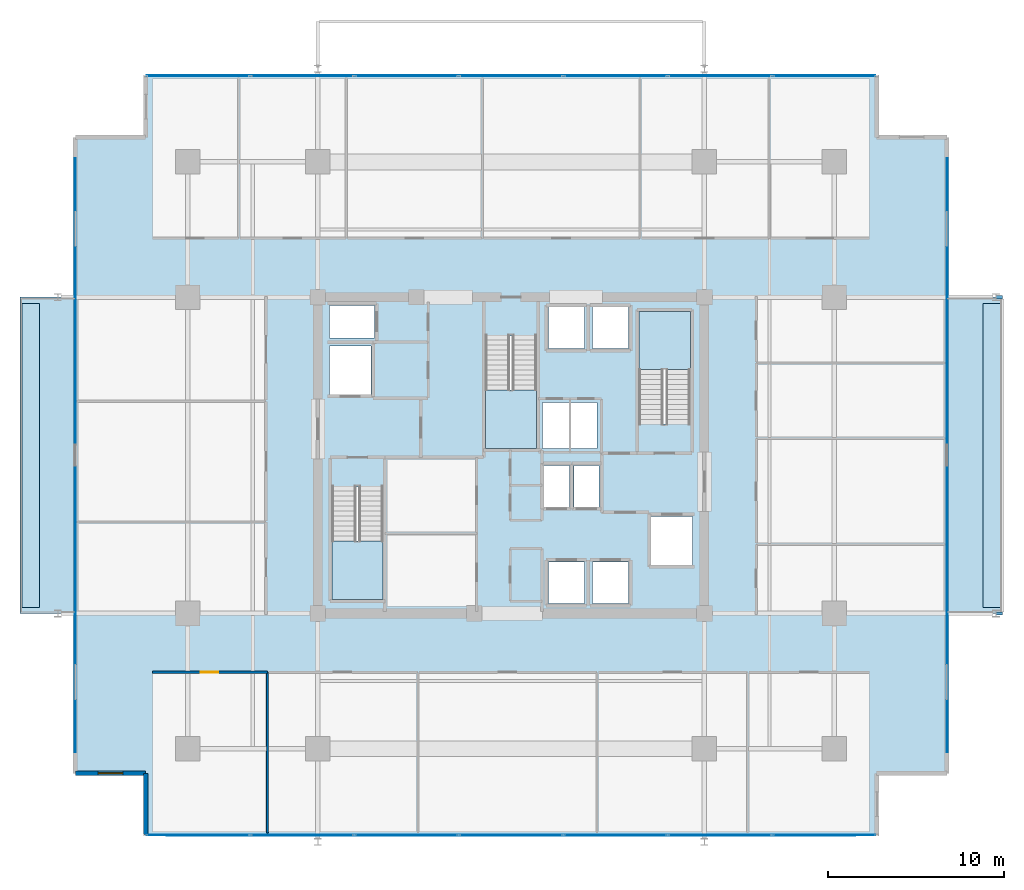
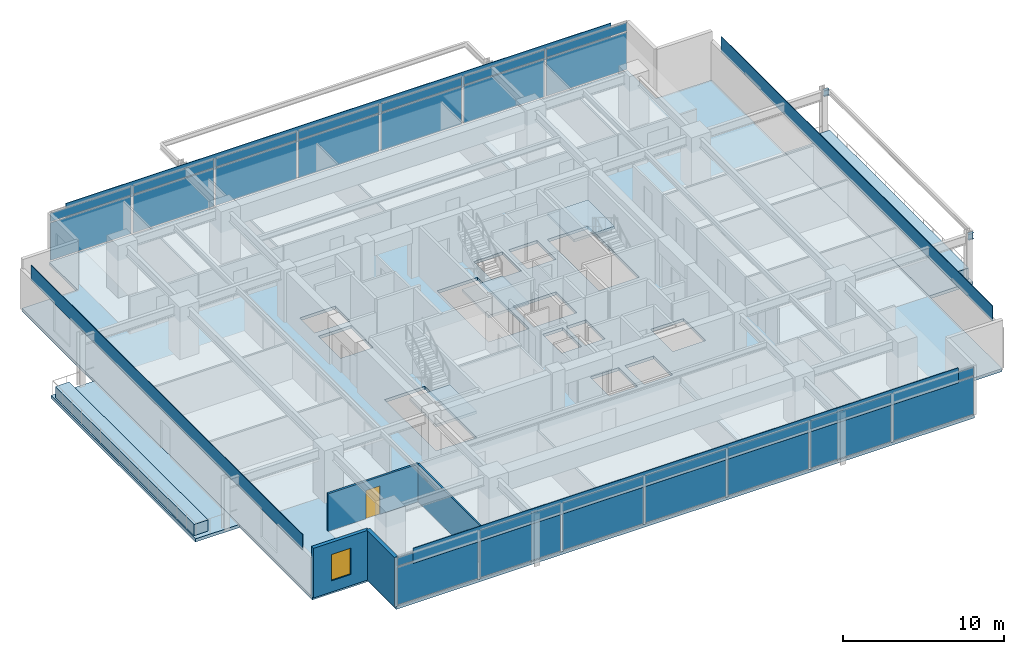
# One storey, part 13 of 21: 32 plates, 8 slabs, 4 walls, 2 beams, 1 door, 1 window, 2 openings, 5 elements without a shape of their own.
"""IFC4 building model written with IfcOpenShell, lengths in metres."""

import ifcopenshell
import ifcopenshell.guid

model = None  # the IFC model being written
_history = None  # IfcOwnerHistory: only IFC2X3 demands one
_inside = {}  # id of a spatial element -> (the spatial element, [elements in it])
_under = {}  # id of a project, library or spatial element -> (it, [spatial elements below it])
_declared = {}  # id of a project -> (the project, [libraries it declares])
_typed = {}  # id of a type object -> (the type object, [elements of that type])
_made_of = {}  # id of a material, layer set ... -> (it, [elements and type objects made of it])


def new_model(schema):
    """Start an empty IFC model of exactly this schema.

    Asked for "IFC4X3", IfcOpenShell would pick the latest addendum, in which some entities
    have other attributes; the version numbers below select the first issue.
    IFC2X3 requires an IfcOwnerHistory on every rooted entity: one is made here for all.
    """
    global model, _history
    if schema == "IFC4X3":
        model = ifcopenshell.file(schema_version=(4, 3, 0, 0))
    else:
        model = ifcopenshell.file(schema=schema)
    _inside.clear()
    _under.clear()
    _declared.clear()
    _typed.clear()
    _made_of.clear()
    _history = None
    if model.schema == "IFC2X3":
        org = make("IfcOrganization", Name="unknown")
        user = make(
            "IfcPersonAndOrganization",
            ThePerson=make("IfcPerson", FamilyName="unknown"),
            TheOrganization=org,
        )
        app = make(
            "IfcApplication",
            ApplicationDeveloper=org,
            Version="unknown",
            ApplicationFullName="unknown",
            ApplicationIdentifier="unknown",
        )
        _history = make(
            "IfcOwnerHistory",
            OwningUser=user,
            OwningApplication=app,
            ChangeAction="ADDED",
            CreationDate=0,
        )
    return model


def make(cls, **values):
    """One entity of the class cls with the attributes given. An attribute that is None is left unset."""
    return model.create_entity(
        cls, **{name: value for name, value in values.items() if value is not None}
    )


def rooted(cls, **values):
    """An entity with a GlobalId (a new one), such as an element, a storey or a relation."""
    return make(cls, GlobalId=ifcopenshell.guid.new(), OwnerHistory=_history, **values)


def si_unit(unit_type, name, prefix=None):
    """IfcSIUnit, for example si_unit("LENGTHUNIT", "METRE", prefix="MILLI")."""
    return make("IfcSIUnit", UnitType=unit_type, Prefix=prefix, Name=name)


def assignment(units):
    """IfcUnitAssignment: the units of a project."""
    return None if units is None else make("IfcUnitAssignment", Units=units)


def point(xyz):
    """IfcCartesianPoint."""
    return None if xyz is None else make("IfcCartesianPoint", Coordinates=xyz)


def direction(xyz):
    """IfcDirection."""
    return None if xyz is None else make("IfcDirection", DirectionRatios=xyz)


def frame(location, z_axis=None, x_axis=None):
    """IfcAxis2Placement3D, a coordinate frame: its origin and axes. An axis left out is left unset."""
    return make(
        "IfcAxis2Placement3D",
        Location=point(location),
        Axis=direction(z_axis),
        RefDirection=direction(x_axis),
    )


def frame_2d(location, x_axis=None):
    """IfcAxis2Placement2D, a coordinate frame in the plane: its origin and x axis."""
    return make(
        "IfcAxis2Placement2D", Location=point(location), RefDirection=direction(x_axis)
    )


def origin():
    """The frame at (0, 0, 0) with its axes left unset."""
    return frame((0.0, 0.0, 0.0))


def origin_2d():
    """The frame at (0, 0) in the plane with its x axis left unset."""
    return frame_2d((0.0, 0.0))


def place(relative_to, where):
    """IfcLocalPlacement: puts the frame where relative to a parent placement (None: the world)."""
    return make(
        "IfcLocalPlacement", PlacementRelTo=relative_to, RelativePlacement=where
    )


def context(
    kind, dimensions, precision=None, world=None, true_north=None, identifier=None
):
    """IfcGeometricRepresentationContext, for example the 3D "Model" context."""
    return make(
        "IfcGeometricRepresentationContext",
        ContextIdentifier=identifier,
        ContextType=kind,
        CoordinateSpaceDimension=dimensions,
        Precision=precision,
        WorldCoordinateSystem=world,
        TrueNorth=true_north,
    )


def subcontext(parent, identifier, kind, view, scale=None):
    """IfcGeometricRepresentationSubContext, for example "Body" below "Model"."""
    return make(
        "IfcGeometricRepresentationSubContext",
        ContextIdentifier=identifier,
        ContextType=kind,
        ParentContext=parent,
        TargetScale=scale,
        TargetView=view,
    )


def project(units=None, contexts=None):
    """IfcProject with its units and contexts."""
    return rooted(
        "IfcProject",
        Name="project",
        RepresentationContexts=contexts,
        UnitsInContext=assignment(units),
    )


def spatial(cls, under=None, at=None, **own):
    """A site, building, storey or space (cls), placed at a placement, below another one or the project."""
    s = rooted(cls, ObjectPlacement=at, **own)
    if under is not None:
        _under.setdefault(under.id(), (under, []))[1].append(s)
    return s


def polyline(points):
    """IfcPolyline through the points."""
    return make("IfcPolyline", Points=[point(p) for p in points])


def profile(cls, at=None, kind="AREA", **sizes):
    """A parametric profile (cls). Its sizes go by their IFC names, for example OverallWidth=200.0."""
    return make(cls, ProfileType=kind, Position=at, **sizes)


def rectangle(**sizes):
    """IfcRectangleProfileDef."""
    return profile("IfcRectangleProfileDef", **sizes)


def i_section(**sizes):
    """IfcIShapeProfileDef."""
    return profile("IfcIShapeProfileDef", **sizes)


def outline(outer, holes=None, kind="AREA"):
    """IfcArbitraryClosedProfileDef: a profile drawn as a closed curve; with holes, ...WithVoids."""
    if holes is None:
        return make("IfcArbitraryClosedProfileDef", ProfileType=kind, OuterCurve=outer)
    return make(
        "IfcArbitraryProfileDefWithVoids",
        ProfileType=kind,
        OuterCurve=outer,
        InnerCurves=holes,
    )


def extrude(swept, where, along, depth):
    """IfcExtrudedAreaSolid: the profile swept, set in the frame where, extruded along a direction by depth."""
    return make(
        "IfcExtrudedAreaSolid",
        SweptArea=swept,
        Position=where,
        ExtrudedDirection=direction(along),
        Depth=depth,
    )


def shape(context_of_items, identifier, shape_type, items):
    """IfcShapeRepresentation: the items that make up one representation, for example the "Body"."""
    return make(
        "IfcShapeRepresentation",
        ContextOfItems=context_of_items,
        RepresentationIdentifier=identifier,
        RepresentationType=shape_type,
        Items=items,
    )


def material(Name=None, Category=None):
    """IfcMaterial."""
    return make("IfcMaterial", Name=Name, Category=Category)


def layer(
    of_material, thickness, ventilated=None, Name=None, Category=None, Priority=None
):
    """IfcMaterialLayer: one layer of a wall or slab, of a material (None: an air gap)."""
    return make(
        "IfcMaterialLayer",
        Material=of_material,
        LayerThickness=thickness,
        IsVentilated=ventilated,
        Name=Name,
        Category=Category,
        Priority=Priority,
    )


def layer_set(layers, Name=None):
    """IfcMaterialLayerSet."""
    return make("IfcMaterialLayerSet", MaterialLayers=layers, LayerSetName=Name)


def material_profile(
    of_material, cross_section, Name=None, Category=None, Priority=None
):
    """IfcMaterialProfile: a cross section and its material."""
    return make(
        "IfcMaterialProfile",
        Name=Name,
        Material=of_material,
        Profile=cross_section,
        Priority=Priority,
        Category=Category,
    )


def profile_set(profiles, Name=None, composite=None):
    """IfcMaterialProfileSet."""
    return make(
        "IfcMaterialProfileSet",
        Name=Name,
        MaterialProfiles=profiles,
        CompositeProfile=composite,
    )


def made_of(thing, what):
    """Note that an element or type object is made of a material, layer set ...; save() writes the relation."""
    if what is not None:
        _made_of.setdefault(what.id(), (what, []))[1].append(thing)
    return thing


def type_object(cls, material=None, **own):
    """A type object (cls), such as IfcWallType, which elements share."""
    return made_of(rooted(cls, **own), material)


def element(
    cls,
    number,
    at=None,
    inside=None,
    cuts=None,
    type_object=None,
    material=None,
    context=None,
    identifier="Body",
    shape_type=None,
    held_by="IfcProductDefinitionShape",
    body=None,
    shapes=None,
    **own,
):
    """One element of the class cls, such as IfcWall. Its Tag is "e" and its number.

    at: its placement. inside: the storey or other place that contains it. cuts: it is an
    opening in that element (IfcRelVoidsElement). A single representation is given by context,
    identifier, shape_type and body (its items); several are given by shapes. held_by: the class
    of the entity that holds the representations. save() writes the other relations.
    """
    e = rooted(cls, Tag="e%d" % number, ObjectPlacement=at, **own)
    if body is not None:
        shapes = [shape(context, identifier, shape_type, body)]
    if shapes is not None:
        e.Representation = make(held_by, Representations=shapes)
    if inside is not None:
        _inside.setdefault(inside.id(), (inside, []))[1].append(e)
    if cuts is not None:
        rooted(
            "IfcRelVoidsElement", RelatingBuildingElement=cuts, RelatedOpeningElement=e
        )
    if type_object is not None:
        _typed.setdefault(type_object.id(), (type_object, []))[1].append(e)
    return made_of(e, material)


def fill(opening, filler):
    """IfcRelFillsElement: the door or window that sits in an opening."""
    return rooted(
        "IfcRelFillsElement",
        RelatingOpeningElement=opening,
        RelatedBuildingElement=filler,
    )


def aggregate(whole, parts):
    """IfcRelAggregates: a whole, such as a stair, and the parts it consists of."""
    return rooted("IfcRelAggregates", RelatingObject=whole, RelatedObjects=parts)


def save(model, path):
    """Write the relations noted so far, then the file.

    IfcRelAggregates (storeys below a building ...), IfcRelContainedInSpatialStructure (elements
    in a storey), IfcRelDefinesByType, IfcRelAssociatesMaterial and IfcRelDeclares: one each for
    every whole, place, type object, material and project.
    """
    for whole, parts in _under.values():
        aggregate(whole, parts)
    for where, things in _inside.values():
        rooted(
            "IfcRelContainedInSpatialStructure",
            RelatedElements=things,
            RelatingStructure=where,
        )
    for kind, things in _typed.values():
        rooted("IfcRelDefinesByType", RelatedObjects=things, RelatingType=kind)
    for what, things in _made_of.values():
        rooted("IfcRelAssociatesMaterial", RelatedObjects=things, RelatingMaterial=what)
    for by, libraries in _declared.values():
        rooted("IfcRelDeclares", RelatingContext=by, RelatedDefinitions=libraries)
    model.write(path)


model = new_model("IFC4")

# Units and contexts
model_context = context("Model", 3, precision=1e-05, world=origin(), true_north=direction((0.0, 1.0)))
body_context = subcontext(model_context, "Body", "Model", "MODEL_VIEW")
ifc_project = project(units=[si_unit("LENGTHUNIT", "METRE"), si_unit("AREAUNIT", "SQUARE_METRE"), si_unit("VOLUMEUNIT", "CUBIC_METRE"), si_unit("PLANEANGLEUNIT", "RADIAN"), si_unit("MASSUNIT", "GRAM", prefix="KILO")], contexts=[model_context])

# Site, building, storey
site_placement = place(None, origin())
site = spatial("IfcSite", under=ifc_project, at=site_placement, CompositionType="ELEMENT")
building_placement = place(site_placement, origin())
building = spatial("IfcBuilding", under=site, at=building_placement, Name="Kovane Verandah Tower", CompositionType="ELEMENT")
storey_placement = place(building_placement, frame((0.0, 0.0, 205.199951171875)))
storey = spatial("IfcBuildingStorey", under=building, at=storey_placement, Name="L47", CompositionType="ELEMENT", Elevation=205.199951171875)

# Beams
ifc_material_1 = material(Name="Steel S355", Category="steel")
ifc_material_profile = material_profile(ifc_material_1, i_section(OverallWidth=0.19287109375, OverallDepth=0.46728515625, WebThickness=0.011474609375, FlangeThickness=0.01953125, FilletRadius=0.01025390625, at=origin_2d()), Name="UB457x191x98")
ifc_profile_set = profile_set([ifc_material_profile], Name="Steel S355")
beam_type = type_object("IfcBeamType", Name="JST-UB457x98", PredefinedType="JOIST", material=ifc_profile_set)
for number, where, z_axis, x_axis, name in (
    (1, (67.60009765625, 18.5, 3.5263671875), (1.0, 0.0, 0.0), (0.0, 1.0, 0.0), "L47 East Planter Girder 1"),
    (2, (67.60009765625, 36.5, 3.5263671875), (1.0, 0.0, 0.0), (0.0, 1.0, 0.0), "L47 East Planter Girder 2"),
):
    element("IfcBeam", number, at=place(storey_placement, frame(where, z_axis=z_axis, x_axis=x_axis)), inside=storey, type_object=beam_type, Name=name, PredefinedType="JOIST", context=body_context, shape_type="SweptSolid", body=[
        extrude(i_section(OverallWidth=0.19287109375, OverallDepth=0.46728515625, WebThickness=0.011474609375, FlangeThickness=0.01953125, FilletRadius=0.01025390625, at=origin_2d()), origin(), (0.0, 0.0, 1.0), 0.367919921875),
    ])

# Curtain wall, plates
ifc_material_2 = material(Name="Champagne Anodised Aluminium Frame with Low-E Clear Laminated Glass", Category="aluminium")
curtain_wall_type = type_object("IfcCurtainWallType", Name="CW-SYS-03-MID", PredefinedType="NOTDEFINED", material=ifc_material_2)
curtain_wall_1_placement = place(storey_placement, origin())
curtain_wall_1 = element("IfcCurtainWall", 3, at=curtain_wall_1_placement, inside=storey, type_object=curtain_wall_type, Name="L47 S Unitised Curtain Wall", PredefinedType="NOTDEFINED")
ifc_material_3 = material(Name="Pale Champagne Anodised Aluminium Insulated Spandrel", Category="aluminium")
ifc_layer_1 = layer(ifc_material_3, 0.0400390625)
ifc_layer_set_1 = layer_set([ifc_layer_1], Name="Pale Champagne Anodised Aluminium Insulated Spandrel")
plate_type_1 = type_object("IfcPlateType", Name="PL-CW-SPD-40", PredefinedType="SHEET", material=ifc_layer_set_1)
plate_1_placement = place(storey_placement, frame((22.17138671875, 5.89990234375, 3.044921875), z_axis=(0.0, 0.0, 1.0), x_axis=(1.0, 0.0, 0.0)))
plate_1 = element("IfcPlate", 4, at=plate_1_placement, type_object=plate_type_1, Name="L47 S Unitised Curtain Wall Spandrel Panel 1", PredefinedType="SHEET", context=body_context, shape_type="SweptSolid", body=[
    extrude(rectangle(XDim=5.802978515625, YDim=0.0400390625, at=origin_2d()), origin(), (0.0, 0.0, 1.0), 0.639892578125),
])
plate_2_placement = place(storey_placement, frame((28.1142578125, 5.89990234375, 3.044921875), z_axis=(0.0, 0.0, 1.0), x_axis=(1.0, 0.0, 0.0)))
plate_2 = element("IfcPlate", 5, at=plate_2_placement, type_object=plate_type_1, Name="L47 S Unitised Curtain Wall Spandrel Panel 2", PredefinedType="SHEET", context=body_context, shape_type="SweptSolid", body=[
    extrude(rectangle(XDim=5.802978515625, YDim=0.0400390625, at=origin_2d()), origin(), (0.0, 0.0, 1.0), 0.639892578125),
])
plate_3_placement = place(storey_placement, frame((34.05712890625, 5.89990234375, 3.044921875), z_axis=(0.0, 0.0, 1.0), x_axis=(1.0, 0.0, 0.0)))
plate_3 = element("IfcPlate", 6, at=plate_3_placement, type_object=plate_type_1, Name="L47 S Unitised Curtain Wall Spandrel Panel 3", PredefinedType="SHEET", context=body_context, shape_type="SweptSolid", body=[
    extrude(rectangle(XDim=5.802978515625, YDim=0.0400390625, at=origin_2d()), origin(), (0.0, 0.0, 1.0), 0.639892578125),
])
plate_4_placement = place(storey_placement, frame((40.0, 5.89990234375, 3.044921875), z_axis=(0.0, 0.0, 1.0), x_axis=(1.0, 0.0, 0.0)))
plate_4 = element("IfcPlate", 7, at=plate_4_placement, type_object=plate_type_1, Name="L47 S Unitised Curtain Wall Spandrel Panel 4", PredefinedType="SHEET", context=body_context, shape_type="SweptSolid", body=[
    extrude(rectangle(XDim=5.802978515625, YDim=0.0400390625, at=origin_2d()), origin(), (0.0, 0.0, 1.0), 0.639892578125),
])
plate_5_placement = place(storey_placement, frame((45.94287109375, 5.89990234375, 3.044921875), z_axis=(0.0, 0.0, 1.0), x_axis=(1.0, 0.0, 0.0)))
plate_5 = element("IfcPlate", 8, at=plate_5_placement, type_object=plate_type_1, Name="L47 S Unitised Curtain Wall Spandrel Panel 5", PredefinedType="SHEET", context=body_context, shape_type="SweptSolid", body=[
    extrude(rectangle(XDim=5.802978515625, YDim=0.0400390625, at=origin_2d()), origin(), (0.0, 0.0, 1.0), 0.639892578125),
])
plate_6_placement = place(storey_placement, frame((51.8857421875, 5.89990234375, 3.044921875), z_axis=(0.0, 0.0, 1.0), x_axis=(1.0, 0.0, 0.0)))
plate_6 = element("IfcPlate", 9, at=plate_6_placement, type_object=plate_type_1, Name="L47 S Unitised Curtain Wall Spandrel Panel 6", PredefinedType="SHEET", context=body_context, shape_type="SweptSolid", body=[
    extrude(rectangle(XDim=5.802978515625, YDim=0.0400390625, at=origin_2d()), origin(), (0.0, 0.0, 1.0), 0.639892578125),
])
plate_7_placement = place(storey_placement, frame((57.82861328125, 5.89990234375, 3.044921875), z_axis=(0.0, 0.0, 1.0), x_axis=(1.0, 0.0, 0.0)))
plate_7 = element("IfcPlate", 10, at=plate_7_placement, type_object=plate_type_1, Name="L47 S Unitised Curtain Wall Spandrel Panel 7", PredefinedType="SHEET", context=body_context, shape_type="SweptSolid", body=[
    extrude(rectangle(XDim=5.802978515625, YDim=0.0400390625, at=origin_2d()), origin(), (0.0, 0.0, 1.0), 0.639892578125),
])

curtain_wall_2_placement = place(storey_placement, origin())
curtain_wall_2 = element("IfcCurtainWall", 11, at=curtain_wall_2_placement, inside=storey, type_object=curtain_wall_type, Name="L47 N Unitised Curtain Wall", PredefinedType="NOTDEFINED")
plate_8_placement = place(storey_placement, frame((57.82861328125, 49.10009765625, 3.044921875), z_axis=(0.0, 0.0, 1.0), x_axis=(-1.0, 0.0, 0.0)))
plate_8 = element("IfcPlate", 12, at=plate_8_placement, type_object=plate_type_1, Name="L47 N Unitised Curtain Wall Spandrel Panel 1", PredefinedType="SHEET", context=body_context, shape_type="SweptSolid", body=[
    extrude(rectangle(XDim=5.802978515625, YDim=0.0400390625, at=origin_2d()), origin(), (0.0, 0.0, 1.0), 0.639892578125),
])
plate_9_placement = place(storey_placement, frame((51.8857421875, 49.10009765625, 3.044921875), z_axis=(0.0, 0.0, 1.0), x_axis=(-1.0, 0.0, 0.0)))
plate_9 = element("IfcPlate", 13, at=plate_9_placement, type_object=plate_type_1, Name="L47 N Unitised Curtain Wall Spandrel Panel 2", PredefinedType="SHEET", context=body_context, shape_type="SweptSolid", body=[
    extrude(rectangle(XDim=5.802978515625, YDim=0.0400390625, at=origin_2d()), origin(), (0.0, 0.0, 1.0), 0.639892578125),
])
plate_10_placement = place(storey_placement, frame((45.94287109375, 49.10009765625, 3.044921875), z_axis=(0.0, 0.0, 1.0), x_axis=(-1.0, 0.0, 0.0)))
plate_10 = element("IfcPlate", 14, at=plate_10_placement, type_object=plate_type_1, Name="L47 N Unitised Curtain Wall Spandrel Panel 3", PredefinedType="SHEET", context=body_context, shape_type="SweptSolid", body=[
    extrude(rectangle(XDim=5.802978515625, YDim=0.0400390625, at=origin_2d()), origin(), (0.0, 0.0, 1.0), 0.639892578125),
])
plate_11_placement = place(storey_placement, frame((40.0, 49.10009765625, 3.044921875), z_axis=(0.0, 0.0, 1.0), x_axis=(-1.0, 0.0, 0.0)))
plate_11 = element("IfcPlate", 15, at=plate_11_placement, type_object=plate_type_1, Name="L47 N Unitised Curtain Wall Spandrel Panel 4", PredefinedType="SHEET", context=body_context, shape_type="SweptSolid", body=[
    extrude(rectangle(XDim=5.802978515625, YDim=0.0400390625, at=origin_2d()), origin(), (0.0, 0.0, 1.0), 0.639892578125),
])
plate_12_placement = place(storey_placement, frame((34.05712890625, 49.10009765625, 3.044921875), z_axis=(0.0, 0.0, 1.0), x_axis=(-1.0, 0.0, 0.0)))
plate_12 = element("IfcPlate", 16, at=plate_12_placement, type_object=plate_type_1, Name="L47 N Unitised Curtain Wall Spandrel Panel 5", PredefinedType="SHEET", context=body_context, shape_type="SweptSolid", body=[
    extrude(rectangle(XDim=5.802978515625, YDim=0.0400390625, at=origin_2d()), origin(), (0.0, 0.0, 1.0), 0.639892578125),
])
plate_13_placement = place(storey_placement, frame((28.1142578125, 49.10009765625, 3.044921875), z_axis=(0.0, 0.0, 1.0), x_axis=(-1.0, 0.0, 0.0)))
plate_13 = element("IfcPlate", 17, at=plate_13_placement, type_object=plate_type_1, Name="L47 N Unitised Curtain Wall Spandrel Panel 6", PredefinedType="SHEET", context=body_context, shape_type="SweptSolid", body=[
    extrude(rectangle(XDim=5.802978515625, YDim=0.0400390625, at=origin_2d()), origin(), (0.0, 0.0, 1.0), 0.639892578125),
])
plate_14_placement = place(storey_placement, frame((22.17138671875, 49.10009765625, 3.044921875), z_axis=(0.0, 0.0, 1.0), x_axis=(-1.0, 0.0, 0.0)))
plate_14 = element("IfcPlate", 18, at=plate_14_placement, type_object=plate_type_1, Name="L47 N Unitised Curtain Wall Spandrel Panel 7", PredefinedType="SHEET", context=body_context, shape_type="SweptSolid", body=[
    extrude(rectangle(XDim=5.802978515625, YDim=0.0400390625, at=origin_2d()), origin(), (0.0, 0.0, 1.0), 0.639892578125),
])

# Plate
ifc_material_4 = material(Name="Clear Low-E Laminated Double Glazing", Category="glass")
ifc_layer_2 = layer(ifc_material_4, 0.031982421875)
ifc_layer_set_2 = layer_set([ifc_layer_2], Name="Clear Low-E Laminated Double Glazing")
plate_type_2 = type_object("IfcPlateType", Name="PL-CW-VIS-32", PredefinedType="CURTAIN_PANEL", material=ifc_layer_set_2)
plate_15_placement = place(storey_placement, frame((22.17138671875, 5.89990234375, 0.10009765625), z_axis=(0.0, 0.0, 1.0), x_axis=(1.0, 0.0, 0.0)))
plate_15 = element("IfcPlate", 19, at=plate_15_placement, type_object=plate_type_2, Name="L47 S Unitised Curtain Wall Vision Panel 1", PredefinedType="CURTAIN_PANEL", context=body_context, shape_type="SweptSolid", body=[
    extrude(rectangle(XDim=5.802978515625, YDim=0.031982421875, at=origin_2d()), origin(), (0.0, 0.0, 1.0), 2.844970703125),
])

plate_16_placement = place(storey_placement, frame((28.1142578125, 5.89990234375, 0.10009765625), z_axis=(0.0, 0.0, 1.0), x_axis=(1.0, 0.0, 0.0)))
plate_16 = element("IfcPlate", 20, at=plate_16_placement, type_object=plate_type_2, Name="L47 S Unitised Curtain Wall Vision Panel 2", PredefinedType="CURTAIN_PANEL", context=body_context, shape_type="SweptSolid", body=[
    extrude(rectangle(XDim=5.802978515625, YDim=0.031982421875, at=origin_2d()), origin(), (0.0, 0.0, 1.0), 2.844970703125),
])

plate_17_placement = place(storey_placement, frame((34.05712890625, 5.89990234375, 0.10009765625), z_axis=(0.0, 0.0, 1.0), x_axis=(1.0, 0.0, 0.0)))
plate_17 = element("IfcPlate", 21, at=plate_17_placement, type_object=plate_type_2, Name="L47 S Unitised Curtain Wall Vision Panel 3", PredefinedType="CURTAIN_PANEL", context=body_context, shape_type="SweptSolid", body=[
    extrude(rectangle(XDim=5.802978515625, YDim=0.031982421875, at=origin_2d()), origin(), (0.0, 0.0, 1.0), 2.844970703125),
])

plate_18_placement = place(storey_placement, frame((40.0, 5.89990234375, 0.10009765625), z_axis=(0.0, 0.0, 1.0), x_axis=(1.0, 0.0, 0.0)))
plate_18 = element("IfcPlate", 22, at=plate_18_placement, type_object=plate_type_2, Name="L47 S Unitised Curtain Wall Vision Panel 4", PredefinedType="CURTAIN_PANEL", context=body_context, shape_type="SweptSolid", body=[
    extrude(rectangle(XDim=5.802978515625, YDim=0.031982421875, at=origin_2d()), origin(), (0.0, 0.0, 1.0), 2.844970703125),
])

plate_19_placement = place(storey_placement, frame((45.94287109375, 5.89990234375, 0.10009765625), z_axis=(0.0, 0.0, 1.0), x_axis=(1.0, 0.0, 0.0)))
plate_19 = element("IfcPlate", 23, at=plate_19_placement, type_object=plate_type_2, Name="L47 S Unitised Curtain Wall Vision Panel 5", PredefinedType="CURTAIN_PANEL", context=body_context, shape_type="SweptSolid", body=[
    extrude(rectangle(XDim=5.802978515625, YDim=0.031982421875, at=origin_2d()), origin(), (0.0, 0.0, 1.0), 2.844970703125),
])

plate_20_placement = place(storey_placement, frame((51.8857421875, 5.89990234375, 0.10009765625), z_axis=(0.0, 0.0, 1.0), x_axis=(1.0, 0.0, 0.0)))
plate_20 = element("IfcPlate", 24, at=plate_20_placement, type_object=plate_type_2, Name="L47 S Unitised Curtain Wall Vision Panel 6", PredefinedType="CURTAIN_PANEL", context=body_context, shape_type="SweptSolid", body=[
    extrude(rectangle(XDim=5.802978515625, YDim=0.031982421875, at=origin_2d()), origin(), (0.0, 0.0, 1.0), 2.844970703125),
])

plate_21_placement = place(storey_placement, frame((57.82861328125, 5.89990234375, 0.10009765625), z_axis=(0.0, 0.0, 1.0), x_axis=(1.0, 0.0, 0.0)))
plate_21 = element("IfcPlate", 25, at=plate_21_placement, type_object=plate_type_2, Name="L47 S Unitised Curtain Wall Vision Panel 7", PredefinedType="CURTAIN_PANEL", context=body_context, shape_type="SweptSolid", body=[
    extrude(rectangle(XDim=5.802978515625, YDim=0.031982421875, at=origin_2d()), origin(), (0.0, 0.0, 1.0), 2.844970703125),
])

aggregate(curtain_wall_1, [plate_15, plate_1, plate_16, plate_2, plate_17, plate_3, plate_18, plate_4, plate_19, plate_5, plate_20, plate_6, plate_21, plate_7])

plate_22_placement = place(storey_placement, frame((57.82861328125, 49.10009765625, 0.10009765625), z_axis=(0.0, 0.0, 1.0), x_axis=(-1.0, 0.0, 0.0)))
plate_22 = element("IfcPlate", 26, at=plate_22_placement, type_object=plate_type_2, Name="L47 N Unitised Curtain Wall Vision Panel 1", PredefinedType="CURTAIN_PANEL", context=body_context, shape_type="SweptSolid", body=[
    extrude(rectangle(XDim=5.802978515625, YDim=0.031982421875, at=origin_2d()), origin(), (0.0, 0.0, 1.0), 2.844970703125),
])

plate_23_placement = place(storey_placement, frame((51.8857421875, 49.10009765625, 0.10009765625), z_axis=(0.0, 0.0, 1.0), x_axis=(-1.0, 0.0, 0.0)))
plate_23 = element("IfcPlate", 27, at=plate_23_placement, type_object=plate_type_2, Name="L47 N Unitised Curtain Wall Vision Panel 2", PredefinedType="CURTAIN_PANEL", context=body_context, shape_type="SweptSolid", body=[
    extrude(rectangle(XDim=5.802978515625, YDim=0.031982421875, at=origin_2d()), origin(), (0.0, 0.0, 1.0), 2.844970703125),
])

plate_24_placement = place(storey_placement, frame((45.94287109375, 49.10009765625, 0.10009765625), z_axis=(0.0, 0.0, 1.0), x_axis=(-1.0, 0.0, 0.0)))
plate_24 = element("IfcPlate", 28, at=plate_24_placement, type_object=plate_type_2, Name="L47 N Unitised Curtain Wall Vision Panel 3", PredefinedType="CURTAIN_PANEL", context=body_context, shape_type="SweptSolid", body=[
    extrude(rectangle(XDim=5.802978515625, YDim=0.031982421875, at=origin_2d()), origin(), (0.0, 0.0, 1.0), 2.844970703125),
])

plate_25_placement = place(storey_placement, frame((40.0, 49.10009765625, 0.10009765625), z_axis=(0.0, 0.0, 1.0), x_axis=(-1.0, 0.0, 0.0)))
plate_25 = element("IfcPlate", 29, at=plate_25_placement, type_object=plate_type_2, Name="L47 N Unitised Curtain Wall Vision Panel 4", PredefinedType="CURTAIN_PANEL", context=body_context, shape_type="SweptSolid", body=[
    extrude(rectangle(XDim=5.802978515625, YDim=0.031982421875, at=origin_2d()), origin(), (0.0, 0.0, 1.0), 2.844970703125),
])

plate_26_placement = place(storey_placement, frame((34.05712890625, 49.10009765625, 0.10009765625), z_axis=(0.0, 0.0, 1.0), x_axis=(-1.0, 0.0, 0.0)))
plate_26 = element("IfcPlate", 30, at=plate_26_placement, type_object=plate_type_2, Name="L47 N Unitised Curtain Wall Vision Panel 5", PredefinedType="CURTAIN_PANEL", context=body_context, shape_type="SweptSolid", body=[
    extrude(rectangle(XDim=5.802978515625, YDim=0.031982421875, at=origin_2d()), origin(), (0.0, 0.0, 1.0), 2.844970703125),
])

plate_27_placement = place(storey_placement, frame((28.1142578125, 49.10009765625, 0.10009765625), z_axis=(0.0, 0.0, 1.0), x_axis=(-1.0, 0.0, 0.0)))
plate_27 = element("IfcPlate", 31, at=plate_27_placement, type_object=plate_type_2, Name="L47 N Unitised Curtain Wall Vision Panel 6", PredefinedType="CURTAIN_PANEL", context=body_context, shape_type="SweptSolid", body=[
    extrude(rectangle(XDim=5.802978515625, YDim=0.031982421875, at=origin_2d()), origin(), (0.0, 0.0, 1.0), 2.844970703125),
])

plate_28_placement = place(storey_placement, frame((22.17138671875, 49.10009765625, 0.10009765625), z_axis=(0.0, 0.0, 1.0), x_axis=(-1.0, 0.0, 0.0)))
plate_28 = element("IfcPlate", 32, at=plate_28_placement, type_object=plate_type_2, Name="L47 N Unitised Curtain Wall Vision Panel 7", PredefinedType="CURTAIN_PANEL", context=body_context, shape_type="SweptSolid", body=[
    extrude(rectangle(XDim=5.802978515625, YDim=0.031982421875, at=origin_2d()), origin(), (0.0, 0.0, 1.0), 2.844970703125),
])

aggregate(curtain_wall_2, [plate_22, plate_8, plate_23, plate_9, plate_24, plate_10, plate_25, plate_11, plate_26, plate_12, plate_27, plate_13, plate_28, plate_14])

# Plates
ifc_material_5 = material(Name="Perforated Pale Champagne Anodised Aluminium Solar Screen", Category="aluminium")
ifc_layer_3 = layer(ifc_material_5, 0.050048828125)
ifc_layer_set_3 = layer_set([ifc_layer_3], Name="Perforated Pale Champagne Anodised Aluminium Solar Screen")
plate_type_3 = type_object("IfcPlateType", Name="PL-SCREEN-50", PredefinedType="USERDEFINED", material=ifc_layer_set_3)
plate_29_placement = place(storey_placement, frame((40.0, 5.885009765625, 2.875), z_axis=(0.0, 0.0, 1.0), x_axis=(1.0, 0.0, 0.0)))
element("IfcPlate", 33, at=plate_29_placement, inside=storey, type_object=plate_type_3, Name="L47 S Perforated Champagne-Gold Solar Screen", ObjectType="SCREEN", PredefinedType="USERDEFINED", context=body_context, shape_type="SweptSolid", body=[
    extrude(rectangle(XDim=39.199951171875, YDim=0.050048828125, at=origin_2d()), origin(), (0.0, 0.0, 1.0), 1.14990234375),
])
plate_30_placement = place(storey_placement, frame((64.81494140625, 27.5, 2.875), z_axis=(0.0, 0.0, 1.0), x_axis=(0.0, 1.0, 0.0)))
element("IfcPlate", 34, at=plate_30_placement, inside=storey, type_object=plate_type_3, Name="L47 E Perforated Champagne-Gold Solar Screen", ObjectType="SCREEN", PredefinedType="USERDEFINED", context=body_context, shape_type="SweptSolid", body=[
    extrude(rectangle(XDim=33.800048828125, YDim=0.050048828125, at=origin_2d()), origin(), (0.0, 0.0, 1.0), 1.14990234375),
])
plate_31_placement = place(storey_placement, frame((40.0, 49.114990234375, 2.875), z_axis=(0.0, 0.0, 1.0), x_axis=(-1.0, 0.0, 0.0)))
element("IfcPlate", 35, at=plate_31_placement, inside=storey, type_object=plate_type_3, Name="L47 N Perforated Champagne-Gold Solar Screen", ObjectType="SCREEN", PredefinedType="USERDEFINED", context=body_context, shape_type="SweptSolid", body=[
    extrude(rectangle(XDim=39.199951171875, YDim=0.050048828125, at=origin_2d()), origin(), (0.0, 0.0, 1.0), 1.14990234375),
])
plate_32_placement = place(storey_placement, frame((15.18505859375, 27.5, 2.875), z_axis=(0.0, 0.0, 1.0), x_axis=(0.0, -1.0, 0.0)))
element("IfcPlate", 36, at=plate_32_placement, inside=storey, type_object=plate_type_3, Name="L47 W Perforated Champagne-Gold Solar Screen", ObjectType="SCREEN", PredefinedType="USERDEFINED", context=body_context, shape_type="SweptSolid", body=[
    extrude(rectangle(XDim=33.800048828125, YDim=0.050048828125, at=origin_2d()), origin(), (0.0, 0.0, 1.0), 1.14990234375),
])

# Slabs
ifc_material_6 = material(Name="Concrete C45/55", Category="concrete")
ifc_layer_4 = layer(ifc_material_6, 0.239990234375)
ifc_layer_set_4 = layer_set([ifc_layer_4], Name="Concrete C45/55")
slab_type_1 = type_object("IfcSlabType", Name="SL-BALC-240", PredefinedType="FLOOR", material=ifc_layer_set_4)
slab_1_placement = place(storey_placement, frame((0.0, 0.0, -0.239990234375)))
element("IfcSlab", 37, at=slab_1_placement, inside=storey, type_object=slab_type_1, Name="L47 E Planted Verandah Balcony Slab", PredefinedType="FLOOR", context=body_context, shape_type="SweptSolid", body=[
    extrude(outline(polyline([(64.800048828125, 18.5), (67.949951171875, 18.5), (67.949951171875, 36.5), (64.800048828125, 36.5), (64.800048828125, 18.5)])), origin(), (0.0, 0.0, 1.0), 0.239990234375),
])
slab_2_placement = place(storey_placement, frame((0.0, 0.0, -0.239990234375)))
element("IfcSlab", 38, at=slab_2_placement, inside=storey, type_object=slab_type_1, Name="L47 W Planted Verandah Balcony Slab", PredefinedType="FLOOR", context=body_context, shape_type="SweptSolid", body=[
    extrude(outline(polyline([(12.050048828125, 18.5), (15.199951171875, 18.5), (15.199951171875, 36.5), (12.050048828125, 36.5), (12.050048828125, 18.5)])), origin(), (0.0, 0.0, 1.0), 0.239990234375),
])

# Stair, slab
stair_type = type_object("IfcStairType", Name="ST-CORE-1380", PredefinedType="HALF_TURN_STAIR", material=ifc_material_6)
stair_1_placement = place(storey_placement, origin())
stair_1 = element("IfcStair", 39, at=stair_1_placement, inside=storey, type_object=stair_type, Name="L47 Exit Stair ST-01", PredefinedType="HALF_TURN_STAIR")
ifc_layer_5 = layer(ifc_material_6, 0.199951171875)
ifc_layer_set_5 = layer_set([ifc_layer_5], Name="Concrete C45/55")
slab_type_2 = type_object("IfcSlabType", Name="SL-LAND-200", PredefinedType="LANDING", material=ifc_layer_set_5)
slab_3_placement = place(storey_placement, frame((0.0, 0.0, 1.800048828125)))
slab_3 = element("IfcSlab", 40, at=slab_3_placement, type_object=slab_type_2, Name="ST-01 landing 1", PredefinedType="LANDING", context=body_context, shape_type="SweptSolid", body=[
    extrude(outline(polyline([(29.800048828125, 22.614990234375), (29.800048828125, 19.300048828125), (32.719970703125, 19.300048828125), (32.719970703125, 22.614990234375), (29.800048828125, 22.614990234375)])), origin(), (0.0, 0.0, 1.0), 0.199951171875),
])
aggregate(stair_1, [slab_3])

stair_2_placement = place(storey_placement, origin())
stair_2 = element("IfcStair", 41, at=stair_2_placement, inside=storey, type_object=stair_type, Name="L47 Exit Stair ST-02", PredefinedType="HALF_TURN_STAIR")
slab_4_placement = place(storey_placement, frame((0.0, 0.0, 1.800048828125)))
slab_4 = element("IfcSlab", 42, at=slab_4_placement, type_object=slab_type_2, Name="ST-02 landing 1", PredefinedType="LANDING", context=body_context, shape_type="SweptSolid", body=[
    extrude(outline(polyline([(50.199951171875, 32.385009765625), (50.199951171875, 35.699951171875), (47.280029296875, 35.699951171875), (47.280029296875, 32.385009765625), (50.199951171875, 32.385009765625)])), origin(), (0.0, 0.0, 1.0), 0.199951171875),
])
aggregate(stair_2, [slab_4])

stair_3_placement = place(storey_placement, origin())
stair_3 = element("IfcStair", 43, at=stair_3_placement, inside=storey, type_object=stair_type, Name="L47 Exit Stair ST-03", PredefinedType="HALF_TURN_STAIR")
slab_5_placement = place(storey_placement, frame((0.0, 0.0, 1.800048828125)))
slab_5 = element("IfcSlab", 44, at=slab_5_placement, type_object=slab_type_2, Name="ST-03 landing 1", PredefinedType="LANDING", context=body_context, shape_type="SweptSolid", body=[
    extrude(outline(polyline([(38.5400390625, 31.215087890625), (38.5400390625, 27.89990234375), (41.4599609375, 27.89990234375), (41.4599609375, 31.215087890625), (38.5400390625, 31.215087890625)])), origin(), (0.0, 0.0, 1.0), 0.199951171875),
])
aggregate(stair_3, [slab_5])

# Slabs
ifc_layer_6 = layer(ifc_material_6, 0.22509765625)
ifc_layer_set_6 = layer_set([ifc_layer_6], Name="Concrete C45/55")
slab_type_3 = type_object("IfcSlabType", Name="SL-MID-225", PredefinedType="FLOOR", material=ifc_layer_set_6)
slab_6_placement = place(storey_placement, frame((0.0, 0.0, -0.224853515625)))
element("IfcSlab", 45, at=slab_6_placement, inside=storey, type_object=slab_type_3, Name="L47 Structural Floor Slab", PredefinedType="FLOOR", context=body_context, shape_type="SweptSolid", body=[
    extrude(outline(polyline([(19.199951171875, 5.89990234375), (60.800048828125, 5.89990234375), (60.800048828125, 9.39990234375), (64.800048828125, 9.39990234375), (64.800048828125, 45.60009765625), (60.800048828125, 45.60009765625), (60.800048828125, 49.10009765625), (19.199951171875, 49.10009765625), (19.199951171875, 45.60009765625), (15.199951171875, 45.60009765625), (15.199951171875, 9.39990234375), (19.199951171875, 9.39990234375), (19.199951171875, 5.89990234375)]), holes=[polyline([(29.800048828125, 19.300048828125), (32.719970703125, 19.300048828125), (32.719970703125, 25.705078125), (29.800048828125, 25.705078125), (29.800048828125, 19.300048828125)]), polyline([(47.280029296875, 29.294921875), (50.199951171875, 29.294921875), (50.199951171875, 35.699951171875), (47.280029296875, 35.699951171875), (47.280029296875, 29.294921875)]), polyline([(38.5400390625, 27.89990234375), (41.4599609375, 27.89990234375), (41.4599609375, 34.304931640625), (38.5400390625, 34.304931640625), (38.5400390625, 27.89990234375)]), polyline([(29.669921875, 30.969970703125), (32.030029296875, 30.969970703125), (32.030029296875, 33.72998046875), (29.669921875, 33.72998046875), (29.669921875, 30.969970703125)]), polyline([(47.969970703125, 21.27001953125), (50.330078125, 21.27001953125), (50.330078125, 24.030029296875), (47.969970703125, 24.030029296875), (47.969970703125, 21.27001953125)]), polyline([(29.669921875, 34.169921875), (32.22998046875, 34.169921875), (32.22998046875, 36.030029296875), (29.669921875, 36.030029296875), (29.669921875, 34.169921875)]), polyline([(42.1201171875, 19.070068359375), (44.179931640625, 19.070068359375), (44.179931640625, 21.429931640625), (42.1201171875, 21.429931640625), (42.1201171875, 19.070068359375)]), polyline([(44.6201171875, 19.070068359375), (46.679931640625, 19.070068359375), (46.679931640625, 21.429931640625), (44.6201171875, 21.429931640625), (44.6201171875, 19.070068359375)]), polyline([(41.8798828125, 24.570068359375), (43.320068359375, 24.570068359375), (43.320068359375, 26.929931640625), (41.8798828125, 26.929931640625), (41.8798828125, 24.570068359375)]), polyline([(43.580078125, 24.570068359375), (45.0, 24.570068359375), (45.0, 26.929931640625), (43.580078125, 26.929931640625), (43.580078125, 24.570068359375)]), polyline([(42.1201171875, 33.570068359375), (44.179931640625, 33.570068359375), (44.179931640625, 35.929931640625), (42.1201171875, 35.929931640625), (42.1201171875, 33.570068359375)]), polyline([(44.6201171875, 33.570068359375), (46.679931640625, 33.570068359375), (46.679931640625, 35.929931640625), (44.6201171875, 35.929931640625), (44.6201171875, 33.570068359375)]), polyline([(41.800048828125, 27.89990234375), (44.89990234375, 27.89990234375), (44.89990234375, 30.5), (41.800048828125, 30.5), (41.800048828125, 27.89990234375)])]), origin(), (0.0, 0.0, 1.0), 0.224853515625),
])
ifc_material_7 = material(Name="Architectural Precast Concrete C45/55 Planter Trough", Category="concrete")
ifc_layer_7 = layer(ifc_material_7, 0.219970703125)
ifc_layer_set_7 = layer_set([ifc_layer_7], Name="Architectural Precast Concrete C45/55 Planter Trough")
slab_type_4 = type_object("IfcSlabType", Name="SL-PLANTER-220", PredefinedType="USERDEFINED", material=ifc_layer_set_7)
slab_7_placement = place(storey_placement, origin())
element("IfcSlab", 46, at=slab_7_placement, inside=storey, type_object=slab_type_4, Name="L47 E Structural Tree Planter", ObjectType="PLANTER", PredefinedType="USERDEFINED", context=body_context, shape_type="SweptSolid", body=[
    extrude(outline(polyline([(66.85009765625, 18.85009765625), (67.85009765625, 18.85009765625), (67.85009765625, 36.14990234375), (66.85009765625, 36.14990234375), (66.85009765625, 18.85009765625)])), origin(), (0.0, 0.0, 1.0), 0.85009765625),
])
slab_8_placement = place(storey_placement, origin())
element("IfcSlab", 47, at=slab_8_placement, inside=storey, type_object=slab_type_4, Name="L47 W Structural Tree Planter", ObjectType="PLANTER", PredefinedType="USERDEFINED", context=body_context, shape_type="SweptSolid", body=[
    extrude(outline(polyline([(12.14990234375, 18.85009765625), (13.14990234375, 18.85009765625), (13.14990234375, 36.14990234375), (12.14990234375, 36.14990234375), (12.14990234375, 18.85009765625)])), origin(), (0.0, 0.0, 1.0), 0.85009765625),
])

# Wall, opening, door
ifc_material_8 = material(Name="Fire-Rated Gypsum Stud Partition", Category="gypsum")
ifc_layer_8 = layer(ifc_material_8, 0.14990234375)
ifc_layer_set_8 = layer_set([ifc_layer_8], Name="Fire-Rated Gypsum Stud Partition")
wall_type_1 = type_object("IfcWallType", Name="WL-COR-150", PredefinedType="PARTITIONING", material=ifc_layer_set_8)
wall_1_placement = place(storey_placement, frame((19.60009765625, 15.14990234375, 0.0), z_axis=(0.0, 0.0, 1.0), x_axis=(1.0, 0.0, 0.0)))
wall_1 = element("IfcWall", 48, at=wall_1_placement, inside=storey, type_object=wall_type_1, Name="L47 Meeting Room S1 Corridor Partition", PredefinedType="PARTITIONING", context=body_context, shape_type="SweptSolid", body=[
    extrude(rectangle(XDim=6.52783203125, YDim=0.14990234375, at=frame_2d((3.263916015625, 0.0))), origin(), (0.0, 0.0, 1.0), 2.85009765625),
])
opening_1_placement = place(wall_1_placement, frame((2.72900390625, 0.0, 0.0)))
opening_1 = element("IfcOpeningElement", 49, at=opening_1_placement, cuts=wall_1, Name="Opening DR-L47-026", PredefinedType="OPENING", context=body_context, shape_type="SweptSolid", body=[
    extrude(rectangle(XDim=1.0, YDim=2.14990234375, at=frame_2d((0.5, 1.074951171875))), frame((0.0, 0.074951171875, 0.0), z_axis=(0.0, -1.0, 0.0), x_axis=(1.0, 0.0, 0.0)), (0.0, 0.0, 1.0), 0.14990234375),
])
ifc_material_9 = material(Name="FSC Spotted-Gum Timber Fire-Rated Office Door", Category="wood")
door_type = type_object("IfcDoorType", Name="DR-OFF-1000", OperationType="SINGLE_SWING_LEFT", PredefinedType="DOOR", material=ifc_material_9)
door_placement = place(opening_1_placement, origin())
door = element("IfcDoor", 50, at=door_placement, inside=storey, type_object=door_type, Name="L47 Meeting Room S1 Entrance Door", OperationType="SINGLE_SWING_RIGHT", OverallHeight=2.14990234375, OverallWidth=1.0, PredefinedType="DOOR", context=body_context, shape_type="SweptSolid", body=[
    extrude(rectangle(XDim=1.0, YDim=2.14990234375, at=frame_2d((0.5, 1.074951171875))), frame((0.0, 0.02490234375, 0.0), z_axis=(0.0, -1.0, 0.0), x_axis=(1.0, 0.0, 0.0)), (0.0, 0.0, 1.0), 0.050048828125),
])
fill(opening_1, door)

# Wall
ifc_material_10 = material(Name="Acoustic Fire-Rated Gypsum Partition", Category="gypsum")
ifc_layer_9 = layer(ifc_material_10, 0.1201171875)
ifc_layer_set_9 = layer_set([ifc_layer_9], Name="Acoustic Fire-Rated Gypsum Partition")
wall_type_2 = type_object("IfcWallType", Name="WL-PART-120", PredefinedType="PARTITIONING", material=ifc_layer_set_9)
wall_2_placement = place(storey_placement, frame((26.1279296875, 6.0, 0.0), z_axis=(0.0, 0.0, 1.0), x_axis=(0.0, 1.0, 0.0)))
element("IfcWall", 51, at=wall_2_placement, inside=storey, type_object=wall_type_2, Name="L47 Meeting Room S1 Dividing Partition", PredefinedType="PARTITIONING", context=body_context, shape_type="SweptSolid", body=[
    extrude(rectangle(XDim=9.14990234375, YDim=0.1201171875, at=frame_2d((4.574951171875, 0.0))), origin(), (0.0, 0.0, 1.0), 2.85009765625),
])

# Wall, opening, window
ifc_material_11 = material(Name="Concrete C45/55 Insulated Spandrel Wall", Category="concrete")
ifc_layer_10 = layer(ifc_material_11, 0.260009765625)
ifc_layer_set_10 = layer_set([ifc_layer_10], Name="Concrete C45/55 Insulated Spandrel Wall")
wall_type_3 = type_object("IfcWallType", Name="WL-SPANDREL-260", PredefinedType="PARAPET", material=ifc_layer_set_10)
wall_3_placement = place(storey_placement, frame((15.199951171875, 9.39990234375, 0.0), z_axis=(0.0, 0.0, 1.0), x_axis=(1.0, 0.0, 0.0)))
wall_3 = element("IfcWall", 52, at=wall_3_placement, inside=storey, type_object=wall_type_3, Name="L47 SW Notch Cheek Wall 1", PredefinedType="PARAPET", context=body_context, shape_type="SweptSolid", body=[
    extrude(rectangle(XDim=4.0, YDim=0.260009765625, at=frame_2d((2.0, 0.0))), origin(), (0.0, 0.0, 1.0), 3.775146484375),
])
opening_2_placement = place(wall_3_placement, frame((1.300048828125, 0.0, 0.85009765625)))
opening_2 = element("IfcOpeningElement", 53, at=opening_2_placement, cuts=wall_3, Name="Opening W-01", PredefinedType="OPENING", context=body_context, shape_type="SweptSolid", body=[
    extrude(rectangle(XDim=1.39990234375, YDim=2.0, at=frame_2d((0.699951171875, 1.0))), frame((0.0, 0.1298828125, 0.0), z_axis=(0.0, -1.0, 0.0), x_axis=(1.0, 0.0, 0.0)), (0.0, 0.0, 1.0), 0.260009765625),
])
ifc_material_12 = material(Name="Clear Low-E Laminated Double Glazing in Anodised Frame", Category="glass")
window_type = type_object("IfcWindowType", Name="WN-OPER-1400x2000", PartitioningType="SINGLE_PANEL", PredefinedType="WINDOW", material=ifc_material_12)
window_placement = place(opening_2_placement, origin())
window = element("IfcWindow", 54, at=window_placement, inside=storey, type_object=window_type, Name="L47 SW Re-Entrant Corner Operable Window", OverallHeight=2.0, OverallWidth=1.39990234375, PartitioningType="SINGLE_PANEL", PredefinedType="WINDOW", context=body_context, shape_type="SweptSolid", body=[
    extrude(rectangle(XDim=1.39990234375, YDim=2.0, at=frame_2d((0.699951171875, 1.0))), frame((0.0, 0.030029296875, 0.0), z_axis=(0.0, -1.0, 0.0), x_axis=(1.0, 0.0, 0.0)), (0.0, 0.0, 1.0), 0.06005859375),
])
fill(opening_2, window)

# Wall
wall_4_placement = place(storey_placement, frame((19.199951171875, 9.39990234375, 0.0), z_axis=(0.0, 0.0, 1.0), x_axis=(0.0, -1.0, 0.0)))
element("IfcWall", 55, at=wall_4_placement, inside=storey, type_object=wall_type_3, Name="L47 SW Notch Cheek Wall 2", PredefinedType="PARAPET", context=body_context, shape_type="SweptSolid", body=[
    extrude(rectangle(XDim=3.5, YDim=0.260009765625, at=frame_2d((1.75, 0.0))), origin(), (0.0, 0.0, 1.0), 3.775146484375),
])

save(model, "model.ifc")
